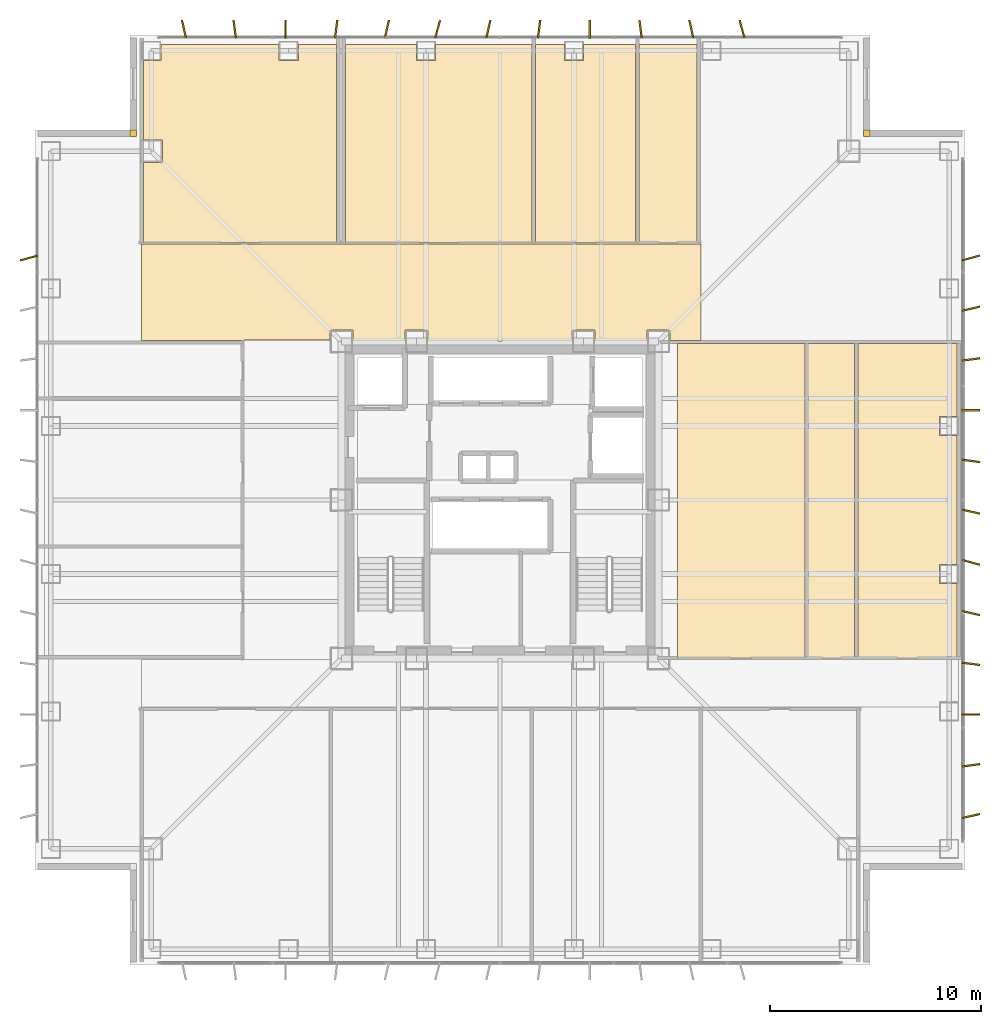
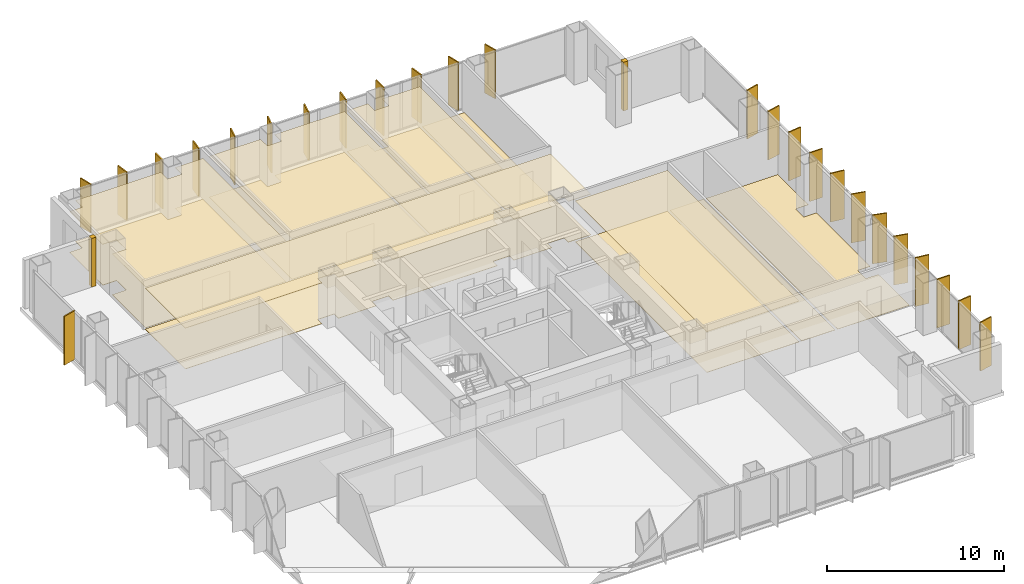
# One storey, part 14 of 14: 25 shading devices, 15 coverings.
"""IFC4 building model written with IfcOpenShell, lengths in metres."""

from ifc_helpers import new_model, si_unit, direction, frame, origin, origin_2d, place, context, subcontext, project, spatial, polyline, rectangle, outline, extrude, material, layer, layer_set, type_object, element, save


model = new_model("IFC4")

# Units and contexts
model_context = context("Model", 3, precision=1e-05, world=origin(), true_north=direction((0.0, 1.0)))
body_context = subcontext(model_context, "Body", "Model", "MODEL_VIEW")
ifc_project = project(units=[si_unit("LENGTHUNIT", "METRE"), si_unit("AREAUNIT", "SQUARE_METRE"), si_unit("VOLUMEUNIT", "CUBIC_METRE"), si_unit("PLANEANGLEUNIT", "RADIAN"), si_unit("MASSUNIT", "GRAM", prefix="KILO")], contexts=[model_context])

# Site, building, storey
site_placement = place(None, origin())
site = spatial("IfcSite", under=ifc_project, at=site_placement, CompositionType="ELEMENT")
building_placement = place(site_placement, origin())
building = spatial("IfcBuilding", under=site, at=building_placement, Name="Trevonay Congress Spire", CompositionType="ELEMENT")
storey_placement = place(building_placement, frame((0.0, 0.0, 137.199951171875)))
storey = spatial("IfcBuildingStorey", under=building, at=storey_placement, Name="L35", CompositionType="ELEMENT", Elevation=137.199951171875)

# Coverings
ifc_material_1 = material(Name="Acoustic Mineral Fibre Board", Category="gypsum")
ifc_layer_1 = layer(ifc_material_1, 0.02490234375, Name="Acoustic Mineral Fibre Board")
ifc_layer_set_1 = layer_set([ifc_layer_1], Name="Acoustic Mineral Fibre Board")
covering_type_1 = type_object("IfcCoveringType", Name="COV-CEIL-ACOUSTIC", PredefinedType="CEILING", material=ifc_layer_set_1)
covering_1_placement = place(storey_placement, frame((0.0, 0.0, 2.81005859375)))
element("IfcCovering", 1, at=covering_1_placement, inside=storey, type_object=covering_type_1, Name="L35 North Sky Promenade Salon acoustic suspended ceiling", PredefinedType="CEILING", context=body_context, shape_type="SweptSolid", body=[
    extrude(outline(polyline([(-16.949951171875, 12.10009765625), (9.5, 12.10009765625), (9.5, 7.550048828125), (8.034912109375, 7.550048828125), (8.034912109375, 8.034912109375), (6.965087890625, 8.034912109375), (6.965087890625, 7.550048828125), (4.485107421875, 7.550048828125), (4.485107421875, 8.034912109375), (3.4150390625, 8.034912109375), (3.4150390625, 7.550048828125), (-3.4150390625, 7.550048828125), (-3.4150390625, 8.034912109375), (-4.485107421875, 8.034912109375), (-4.485107421875, 7.550048828125), (-6.965087890625, 7.550048828125), (-6.965087890625, 8.034912109375), (-8.034912109375, 8.034912109375), (-8.034912109375, 7.56005859375), (-12.110107421875, 7.56005859375), (-12.110107421875, 7.550048828125), (-16.949951171875, 7.550048828125), (-16.949951171875, 12.10009765625)])), origin(), (0.0, 0.0, 1.0), 0.02490234375),
])
covering_2_placement = place(storey_placement, frame((0.0, 0.0, 2.81005859375)))
element("IfcCovering", 2, at=covering_2_placement, inside=storey, type_object=covering_type_1, Name="L35 Digital Media Study Lounge acoustic suspended ceiling", PredefinedType="CEILING", context=body_context, shape_type="SweptSolid", body=[
    extrude(outline(polyline([(-7.72998046875, 21.550048828125), (-7.72998046875, 12.179931640625), (-16.8701171875, 12.179931640625), (-16.8701171875, 15.965087890625), (-15.965087890625, 15.965087890625), (-15.965087890625, 17.034912109375), (-16.8701171875, 17.034912109375), (-16.8701171875, 20.7900390625), (-16.0400390625, 20.7900390625), (-16.0400390625, 21.550048828125), (-10.4599609375, 21.550048828125), (-10.4599609375, 20.7900390625), (-9.5400390625, 20.7900390625), (-9.5400390625, 21.550048828125), (-7.72998046875, 21.550048828125)])), origin(), (0.0, 0.0, 1.0), 0.02490234375),
])
covering_3_placement = place(storey_placement, frame((0.0, 0.0, 2.81005859375)))
element("IfcCovering", 3, at=covering_3_placement, inside=storey, type_object=covering_type_1, Name="L35 Archive Reading Salon acoustic suspended ceiling", PredefinedType="CEILING", context=body_context, shape_type="SweptSolid", body=[
    extrude(outline(polyline([(1.52001953125, 21.550048828125), (1.52001953125, 12.179931640625), (-7.320068359375, 12.179931640625), (-7.320068359375, 21.550048828125), (-3.9599609375, 21.550048828125), (-3.9599609375, 20.7900390625), (-3.0400390625, 20.7900390625), (-3.0400390625, 21.550048828125), (1.52001953125, 21.550048828125)])), origin(), (0.0, 0.0, 1.0), 0.02490234375),
])
covering_4_placement = place(storey_placement, frame((0.0, 0.0, 2.81005859375)))
element("IfcCovering", 4, at=covering_4_placement, inside=storey, type_object=covering_type_1, Name="L35 Academic Pantry acoustic suspended ceiling", PredefinedType="CEILING", context=body_context, shape_type="SweptSolid", body=[
    extrude(outline(polyline([(6.419921875, 21.550048828125), (6.419921875, 12.179931640625), (1.679931640625, 12.179931640625), (1.679931640625, 21.550048828125), (3.0400390625, 21.550048828125), (3.0400390625, 20.7900390625), (3.9599609375, 20.7900390625), (3.9599609375, 21.550048828125), (6.419921875, 21.550048828125)])), origin(), (0.0, 0.0, 1.0), 0.02490234375),
])
covering_5_placement = place(storey_placement, frame((0.0, 0.0, 2.81005859375)))
element("IfcCovering", 5, at=covering_5_placement, inside=storey, type_object=covering_type_1, Name="L35 Curriculum Office East acoustic suspended ceiling", PredefinedType="CEILING", context=body_context, shape_type="SweptSolid", body=[
    extrude(outline(polyline([(8.39990234375, -7.47998046875), (14.419921875, -7.47998046875), (14.419921875, 7.39990234375), (8.39990234375, 7.39990234375), (8.39990234375, -7.47998046875)])), origin(), (0.0, 0.0, 1.0), 0.02490234375),
])
ifc_material_2 = material(Name="Polished Granite Floor Tile", Category="masonry")
ifc_layer_2 = layer(ifc_material_2, 0.02001953125, Name="Polished Granite Floor Tile")
ifc_layer_set_2 = layer_set([ifc_layer_2], Name="Polished Granite Floor Tile")
covering_type_2 = type_object("IfcCoveringType", Name="COV-FLOOR-STONE", PredefinedType="FLOORING", material=ifc_layer_set_2)
covering_6_placement = place(storey_placement, origin())
element("IfcCovering", 6, at=covering_6_placement, inside=storey, type_object=covering_type_2, Name="L35 Academic Pantry floor finish", PredefinedType="FLOORING", context=body_context, shape_type="SweptSolid", body=[
    extrude(outline(polyline([(6.419921875, 21.550048828125), (6.419921875, 12.179931640625), (1.679931640625, 12.179931640625), (1.679931640625, 21.550048828125), (3.0400390625, 21.550048828125), (3.0400390625, 20.7900390625), (3.9599609375, 20.7900390625), (3.9599609375, 21.550048828125), (6.419921875, 21.550048828125)])), origin(), (0.0, 0.0, 1.0), 0.02001953125),
])
covering_7_placement = place(storey_placement, origin())
element("IfcCovering", 7, at=covering_7_placement, inside=storey, type_object=covering_type_2, Name="L35 Female Restroom WC floor finish", PredefinedType="FLOORING", context=body_context, shape_type="SweptSolid", body=[
    extrude(outline(polyline([(6.580078125, 12.179931640625), (9.320068359375, 12.179931640625), (9.320068359375, 21.550048828125), (6.580078125, 21.550048828125), (6.580078125, 12.179931640625)])), origin(), (0.0, 0.0, 1.0), 0.02001953125),
])
covering_8_placement = place(storey_placement, origin())
element("IfcCovering", 8, at=covering_8_placement, inside=storey, type_object=covering_type_2, Name="L35 Male Restroom WC floor finish", PredefinedType="FLOORING", context=body_context, shape_type="SweptSolid", body=[
    extrude(outline(polyline([(14.580078125, -7.47998046875), (16.77001953125, -7.47998046875), (16.77001953125, 7.39990234375), (14.580078125, 7.39990234375), (14.580078125, -7.47998046875)])), origin(), (0.0, 0.0, 1.0), 0.02001953125),
])
covering_9_placement = place(storey_placement, origin())
element("IfcCovering", 9, at=covering_9_placement, inside=storey, type_object=covering_type_2, Name="L35 Floor Supplies and Copy Room floor finish", PredefinedType="FLOORING", context=body_context, shape_type="SweptSolid", body=[
    extrude(outline(polyline([(21.6201171875, -7.47998046875), (16.929931640625, -7.47998046875), (16.929931640625, 7.39990234375), (21.6201171875, 7.39990234375), (21.6201171875, 3.9599609375), (20.7900390625, 3.9599609375), (20.7900390625, 3.0400390625), (21.6201171875, 3.0400390625), (21.6201171875, -3.0400390625), (20.7900390625, -3.0400390625), (20.7900390625, -3.9599609375), (21.6201171875, -3.9599609375), (21.6201171875, -7.47998046875)])), origin(), (0.0, 0.0, 1.0), 0.02001953125),
])
ifc_material_3 = material(Name="Engineered Oak Flooring", Category="wood")
ifc_layer_3 = layer(ifc_material_3, 0.01806640625, Name="Engineered Oak Flooring")
ifc_layer_set_3 = layer_set([ifc_layer_3], Name="Engineered Oak Flooring")
covering_type_3 = type_object("IfcCoveringType", Name="COV-FLOOR-TIMBER", PredefinedType="FLOORING", material=ifc_layer_set_3)
covering_10_placement = place(storey_placement, origin())
element("IfcCovering", 10, at=covering_10_placement, inside=storey, type_object=covering_type_3, Name="L35 North Sky Promenade Salon floor finish", PredefinedType="FLOORING", context=body_context, shape_type="SweptSolid", body=[
    extrude(outline(polyline([(-16.949951171875, 12.10009765625), (9.5, 12.10009765625), (9.5, 7.550048828125), (8.034912109375, 7.550048828125), (8.034912109375, 8.034912109375), (6.965087890625, 8.034912109375), (6.965087890625, 7.550048828125), (4.485107421875, 7.550048828125), (4.485107421875, 8.034912109375), (3.4150390625, 8.034912109375), (3.4150390625, 7.550048828125), (-3.4150390625, 7.550048828125), (-3.4150390625, 8.034912109375), (-4.485107421875, 8.034912109375), (-4.485107421875, 7.550048828125), (-6.965087890625, 7.550048828125), (-6.965087890625, 8.034912109375), (-8.034912109375, 8.034912109375), (-8.034912109375, 7.56005859375), (-12.110107421875, 7.56005859375), (-12.110107421875, 7.550048828125), (-16.949951171875, 7.550048828125), (-16.949951171875, 12.10009765625)])), origin(), (0.0, 0.0, 1.0), 0.01806640625),
])
covering_11_placement = place(storey_placement, origin())
element("IfcCovering", 11, at=covering_11_placement, inside=storey, type_object=covering_type_3, Name="L35 Digital Media Study Lounge floor finish", PredefinedType="FLOORING", context=body_context, shape_type="SweptSolid", body=[
    extrude(outline(polyline([(-7.72998046875, 21.550048828125), (-7.72998046875, 12.179931640625), (-16.8701171875, 12.179931640625), (-16.8701171875, 15.965087890625), (-15.965087890625, 15.965087890625), (-15.965087890625, 17.034912109375), (-16.8701171875, 17.034912109375), (-16.8701171875, 20.7900390625), (-16.0400390625, 20.7900390625), (-16.0400390625, 21.550048828125), (-10.4599609375, 21.550048828125), (-10.4599609375, 20.7900390625), (-9.5400390625, 20.7900390625), (-9.5400390625, 21.550048828125), (-7.72998046875, 21.550048828125)])), origin(), (0.0, 0.0, 1.0), 0.01806640625),
])
covering_12_placement = place(storey_placement, origin())
element("IfcCovering", 12, at=covering_12_placement, inside=storey, type_object=covering_type_3, Name="L35 Archive Reading Salon floor finish", PredefinedType="FLOORING", context=body_context, shape_type="SweptSolid", body=[
    extrude(outline(polyline([(1.52001953125, 21.550048828125), (1.52001953125, 12.179931640625), (-7.320068359375, 12.179931640625), (-7.320068359375, 21.550048828125), (-3.9599609375, 21.550048828125), (-3.9599609375, 20.7900390625), (-3.0400390625, 20.7900390625), (-3.0400390625, 21.550048828125), (1.52001953125, 21.550048828125)])), origin(), (0.0, 0.0, 1.0), 0.01806640625),
])
covering_13_placement = place(storey_placement, origin())
element("IfcCovering", 13, at=covering_13_placement, inside=storey, type_object=covering_type_3, Name="L35 Curriculum Office East floor finish", PredefinedType="FLOORING", context=body_context, shape_type="SweptSolid", body=[
    extrude(outline(polyline([(8.39990234375, -7.47998046875), (14.419921875, -7.47998046875), (14.419921875, 7.39990234375), (8.39990234375, 7.39990234375), (8.39990234375, -7.47998046875)])), origin(), (0.0, 0.0, 1.0), 0.01806640625),
])
ifc_material_4 = material(Name="Pale Anodised Aluminium EN AW-6063-T6", Category="aluminium")
ifc_layer_4 = layer(ifc_material_4, 0.0400390625, Name="Pale Anodised Aluminium EN AW-6063-T6")
ifc_layer_set_4 = layer_set([ifc_layer_4], Name="Pale Anodised Aluminium EN AW-6063-T6")
covering_type_4 = type_object("IfcCoveringType", Name="COV-SPANDREL-PALE-METAL", PredefinedType="CLADDING", material=ifc_layer_set_4)
covering_14_placement = place(storey_placement, origin())
element("IfcCovering", 14, at=covering_14_placement, inside=storey, type_object=covering_type_4, Name="L35 NE re-entrant notch corner closure trim", PredefinedType="CLADDING", context=body_context, shape_type="SweptSolid", body=[
    extrude(outline(polyline([(17.199951171875, 17.199951171875), (17.5, 17.199951171875), (17.5, 17.5), (17.199951171875, 17.5), (17.199951171875, 17.199951171875)])), origin(), (0.0, 0.0, 1.0), 3.360107421875),
])
covering_15_placement = place(storey_placement, origin())
element("IfcCovering", 15, at=covering_15_placement, inside=storey, type_object=covering_type_4, Name="L35 NW re-entrant notch corner closure trim", PredefinedType="CLADDING", context=body_context, shape_type="SweptSolid", body=[
    extrude(outline(polyline([(-17.5, 17.199951171875), (-17.199951171875, 17.199951171875), (-17.199951171875, 17.5), (-17.5, 17.5), (-17.5, 17.199951171875)])), origin(), (0.0, 0.0, 1.0), 3.360107421875),
])

# Shading devices
shading_device_type = type_object("IfcShadingDeviceType", Name="SHD-FIN-Z2-PALE-METAL", PredefinedType="USERDEFINED", material=ifc_material_4)
for number, where, z_axis, x_axis, name in (
    (16, (-14.949951171875, 22.280029296875, 0.0), (0.0, 0.0, 1.0), (0.97440931131, 0.224780991261, 0.0), "L35 N vertical pale-metal solar fin 1"),
    (17, (-12.550048828125, 22.280029296875, 0.0), (0.0, 0.0, 1.0), (0.991444861374, 0.13052619222, 0.0), "L35 N vertical pale-metal solar fin 2"),
    (18, (-10.14990234375, 22.280029296875, 0.0), (0.0, 0.0, 1.0), (1.0, 0.0, 0.0), "L35 N vertical pale-metal solar fin 3"),
    (19, (-7.75, 22.280029296875, 0.0), (0.0, 0.0, 1.0), (0.991444861374, -0.13052619222, 0.0), "L35 N vertical pale-metal solar fin 4"),
    (20, (-5.35009765625, 22.280029296875, 0.0), (0.0, 0.0, 1.0), (0.97440931131, -0.224780991261, 0.0), "L35 N vertical pale-metal solar fin 5"),
    (21, (-2.949951171875, 22.280029296875, 0.0), (0.0, 0.0, 1.0), (0.965925826289, -0.258819045103, 0.0), "L35 N vertical pale-metal solar fin 6"),
    (22, (-0.550048828125, 22.280029296875, 0.0), (0.0, 0.0, 1.0), (0.97440931131, -0.224780991261, 0.0), "L35 N vertical pale-metal solar fin 7"),
    (23, (1.85009765625, 22.280029296875, 0.0), (0.0, 0.0, 1.0), (0.991444861374, -0.13052619222, 0.0), "L35 N vertical pale-metal solar fin 8"),
    (24, (4.25, 22.280029296875, 0.0), (0.0, 0.0, 1.0), (1.0, 0.0, 0.0), "L35 N vertical pale-metal solar fin 9"),
    (25, (6.64990234375, 22.280029296875, 0.0), (0.0, 0.0, 1.0), (0.991444861374, 0.13052619222, 0.0), "L35 N vertical pale-metal solar fin 10"),
    (26, (9.050048828125, 22.280029296875, 0.0), (0.0, 0.0, 1.0), (0.97440931131, 0.224780991261, 0.0), "L35 N vertical pale-metal solar fin 11"),
    (27, (11.449951171875, 22.280029296875, 0.0), (0.0, 0.0, 1.0), (0.965925826289, 0.258819045103, 0.0), "L35 N vertical pale-metal solar fin 12"),
    (28, (-22.280029296875, 11.449951171875, 0.0), (0.0, 0.0, 1.0), (-0.258819045103, 0.965925826289, 0.0), "L35 W vertical pale-metal solar fin 12"),
    (29, (22.280029296875, -14.949951171875, 0.0), (0.0, 0.0, 1.0), (-0.224780991261, 0.97440931131, 0.0), "L35 E vertical pale-metal solar fin 1"),
    (30, (22.280029296875, -12.550048828125, 0.0), (0.0, 0.0, 1.0), (-0.13052619222, 0.991444861374, 0.0), "L35 E vertical pale-metal solar fin 2"),
    (31, (22.280029296875, -10.14990234375, 0.0), (0.0, 0.0, 1.0), (0.0, 1.0, 0.0), "L35 E vertical pale-metal solar fin 3"),
    (32, (22.280029296875, -7.75, 0.0), (0.0, 0.0, 1.0), (0.13052619222, 0.991444861374, 0.0), "L35 E vertical pale-metal solar fin 4"),
    (33, (22.280029296875, -5.35009765625, 0.0), (0.0, 0.0, 1.0), (0.224780991261, 0.97440931131, 0.0), "L35 E vertical pale-metal solar fin 5"),
    (34, (22.280029296875, -2.949951171875, 0.0), (0.0, 0.0, 1.0), (0.258819045103, 0.965925826289, 0.0), "L35 E vertical pale-metal solar fin 6"),
    (35, (22.280029296875, -0.550048828125, 0.0), (0.0, 0.0, 1.0), (0.224780991261, 0.97440931131, 0.0), "L35 E vertical pale-metal solar fin 7"),
    (36, (22.280029296875, 1.85009765625, 0.0), (0.0, 0.0, 1.0), (0.13052619222, 0.991444861374, 0.0), "L35 E vertical pale-metal solar fin 8"),
    (37, (22.280029296875, 4.25, 0.0), (0.0, 0.0, 1.0), (0.0, 1.0, 0.0), "L35 E vertical pale-metal solar fin 9"),
    (38, (22.280029296875, 6.64990234375, 0.0), (0.0, 0.0, 1.0), (-0.13052619222, 0.991444861374, 0.0), "L35 E vertical pale-metal solar fin 10"),
    (39, (22.280029296875, 9.050048828125, 0.0), (0.0, 0.0, 1.0), (-0.224780991261, 0.97440931131, 0.0), "L35 E vertical pale-metal solar fin 11"),
    (40, (22.280029296875, 11.449951171875, 0.0), (0.0, 0.0, 1.0), (-0.258819045103, 0.965925826289, 0.0), "L35 E vertical pale-metal solar fin 12"),
):
    element("IfcShadingDevice", number, at=place(storey_placement, frame(where, z_axis=z_axis, x_axis=x_axis)), inside=storey, type_object=shading_device_type, Name=name, ObjectType="SOLAR FIN", PredefinedType="USERDEFINED", context=body_context, shape_type="SweptSolid", body=[
        extrude(rectangle(XDim=0.080078125, YDim=0.85009765625, at=origin_2d()), origin(), (0.0, 0.0, 1.0), 3.360107421875),
    ])

save(model, "model.ifc")
